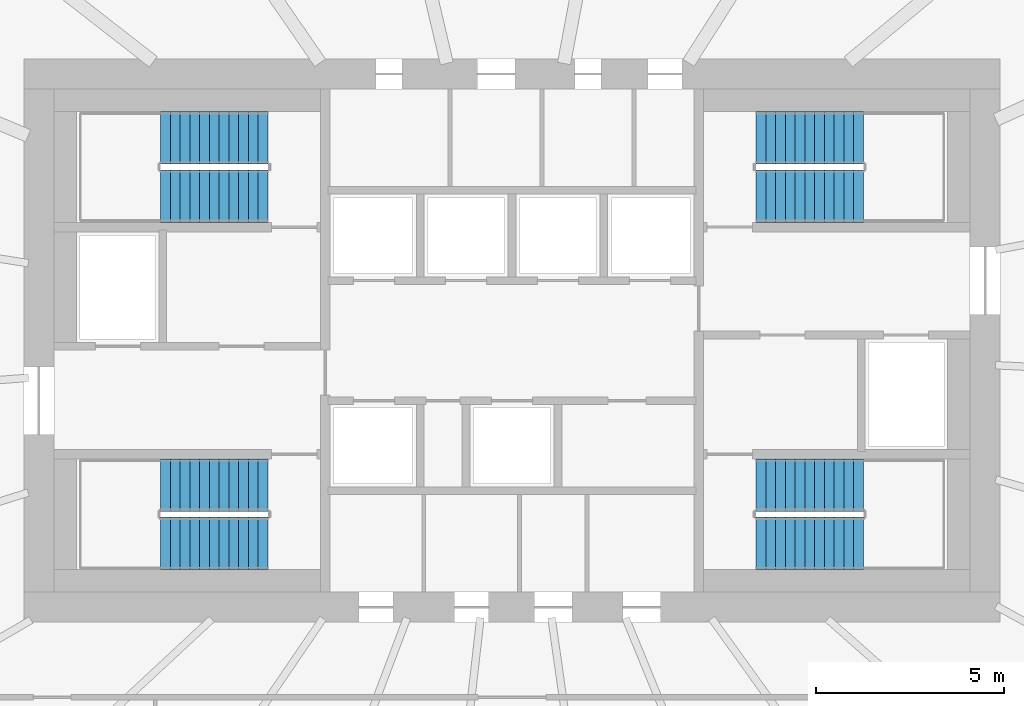
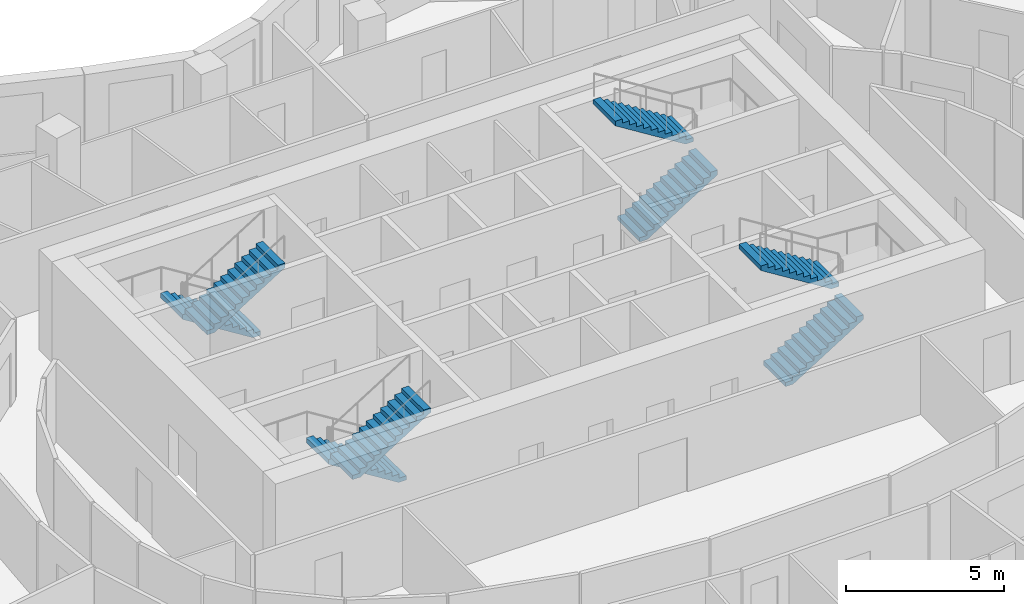
# One storey, part 10 of 11: 8 stair flights, 4 elements without a shape of their own.
"""IFC4 building model written with IfcOpenShell, lengths in metres."""

from ifc_helpers import new_model, si_unit, direction, frame, origin, place, context, subcontext, project, spatial, polyline, outline, extrude, material, type_object, element, aggregate, save


model = new_model("IFC4")

# Units and contexts
model_context = context("Model", 3, precision=1e-05, world=origin(), true_north=direction((0.0, 1.0)))
body_context = subcontext(model_context, "Body", "Model", "MODEL_VIEW")
ifc_project = project(units=[si_unit("LENGTHUNIT", "METRE"), si_unit("AREAUNIT", "SQUARE_METRE"), si_unit("VOLUMEUNIT", "CUBIC_METRE"), si_unit("PLANEANGLEUNIT", "RADIAN"), si_unit("MASSUNIT", "GRAM", prefix="KILO")], contexts=[model_context])

# Site, building, storey
site_placement = place(None, origin())
site = spatial("IfcSite", under=ifc_project, at=site_placement, CompositionType="ELEMENT")
building_placement = place(site_placement, origin())
building = spatial("IfcBuilding", under=site, at=building_placement, Name="Rubra Terraces Tower", CompositionType="ELEMENT")
storey_placement = place(building_placement, frame((0.0, 0.0, 174.0)))
storey = spatial("IfcBuildingStorey", under=building, at=storey_placement, Name="L42", CompositionType="ELEMENT", Elevation=174.0)

# Stair, stair flights
ifc_material = material(Name="Concrete C40", Category="concrete")
stair_type = type_object("IfcStairType", Name="Core stair 1400", PredefinedType="HALF_TURN_STAIR", material=ifc_material)
stair_1_placement = place(storey_placement, origin())
stair_1 = element("IfcStair", 1, at=stair_1_placement, inside=storey, type_object=stair_type, Name="L42 Exit stair S1", PredefinedType="HALF_TURN_STAIR")
stair_flight_type = type_object("IfcStairFlightType", Name="Core stair flight 1400", PredefinedType="STRAIGHT", material=ifc_material)
stair_flight_1_placement = place(storey_placement, frame((-6.5, 0.64990234375, 0.0), z_axis=(0.0, 0.0, 1.0), x_axis=(-1.0, 0.0, 0.0)))
stair_flight_1 = element("IfcStairFlight", 2, at=stair_flight_1_placement, type_object=stair_flight_type, Name="S1 flight 1", NumberOfRisers=12, NumberOfTreads=11, PredefinedType="STRAIGHT", RiserHeight=0.1625, TreadLength=0.26, context=body_context, shape_type="SweptSolid", body=[
    extrude(outline(polyline([(0.0, 0.0), (0.0, 0.16259765625), (0.260009765625, 0.16259765625), (0.260009765625, 0.324951171875), (0.52001953125, 0.324951171875), (0.52001953125, 0.487548828125), (0.780029296875, 0.487548828125), (0.780029296875, 0.64990234375), (1.0400390625, 0.64990234375), (1.0400390625, 0.8125), (1.300048828125, 0.8125), (1.300048828125, 0.97509765625), (1.56005859375, 0.97509765625), (1.56005859375, 1.137451171875), (1.820068359375, 1.137451171875), (1.820068359375, 1.300048828125), (2.080078125, 1.300048828125), (2.080078125, 1.46240234375), (2.340087890625, 1.46240234375), (2.340087890625, 1.625), (2.60009765625, 1.625), (2.60009765625, 1.78759765625), (2.860107421875, 1.78759765625), (2.860107421875, 1.949951171875), (2.860107421875, 1.61083984375), (0.28271484375, 0.0), (0.0, 0.0)])), frame((0.0, 0.699951171875, 0.0), z_axis=(0.0, -1.0, 0.0), x_axis=(1.0, 0.0, 0.0)), (0.0, 0.0, 1.0), 1.39990234375),
])
stair_flight_2_placement = place(storey_placement, frame((-9.360107421875, -0.89990234375, 1.949951171875), z_axis=(0.0, 0.0, 1.0), x_axis=(1.0, 0.0, 0.0)))
stair_flight_2 = element("IfcStairFlight", 3, at=stair_flight_2_placement, type_object=stair_flight_type, Name="S1 flight 2", NumberOfRisers=12, NumberOfTreads=11, PredefinedType="STRAIGHT", RiserHeight=0.1625, TreadLength=0.26, context=body_context, shape_type="SweptSolid", body=[
    extrude(outline(polyline([(0.0, 0.0), (0.0, 0.16259765625), (0.260009765625, 0.16259765625), (0.260009765625, 0.324951171875), (0.52001953125, 0.324951171875), (0.52001953125, 0.487548828125), (0.780029296875, 0.487548828125), (0.780029296875, 0.64990234375), (1.0400390625, 0.64990234375), (1.0400390625, 0.8125), (1.300048828125, 0.8125), (1.300048828125, 0.97509765625), (1.56005859375, 0.97509765625), (1.56005859375, 1.137451171875), (1.820068359375, 1.137451171875), (1.820068359375, 1.300048828125), (2.080078125, 1.300048828125), (2.080078125, 1.46240234375), (2.340087890625, 1.46240234375), (2.340087890625, 1.625), (2.60009765625, 1.625), (2.60009765625, 1.78759765625), (2.860107421875, 1.78759765625), (2.860107421875, 1.949951171875), (2.860107421875, 1.61083984375), (0.28271484375, 0.0), (0.0, 0.0)])), frame((0.0, 0.699951171875, 0.0), z_axis=(0.0, -1.0, 0.0), x_axis=(1.0, 0.0, 0.0)), (0.0, 0.0, 1.0), 1.39990234375),
])
aggregate(stair_1, [stair_flight_1, stair_flight_2])

stair_2_placement = place(storey_placement, origin())
stair_2 = element("IfcStair", 4, at=stair_2_placement, inside=storey, type_object=stair_type, Name="L42 Exit stair S2", PredefinedType="HALF_TURN_STAIR")
stair_flight_3_placement = place(storey_placement, frame((-6.5, 9.89990234375, 0.0), z_axis=(0.0, 0.0, 1.0), x_axis=(-1.0, 0.0, 0.0)))
stair_flight_3 = element("IfcStairFlight", 5, at=stair_flight_3_placement, type_object=stair_flight_type, Name="S2 flight 1", NumberOfRisers=12, NumberOfTreads=11, PredefinedType="STRAIGHT", RiserHeight=0.1625, TreadLength=0.26, context=body_context, shape_type="SweptSolid", body=[
    extrude(outline(polyline([(0.0, 0.0), (0.0, 0.16259765625), (0.260009765625, 0.16259765625), (0.260009765625, 0.324951171875), (0.52001953125, 0.324951171875), (0.52001953125, 0.487548828125), (0.780029296875, 0.487548828125), (0.780029296875, 0.64990234375), (1.0400390625, 0.64990234375), (1.0400390625, 0.8125), (1.300048828125, 0.8125), (1.300048828125, 0.97509765625), (1.56005859375, 0.97509765625), (1.56005859375, 1.137451171875), (1.820068359375, 1.137451171875), (1.820068359375, 1.300048828125), (2.080078125, 1.300048828125), (2.080078125, 1.46240234375), (2.340087890625, 1.46240234375), (2.340087890625, 1.625), (2.60009765625, 1.625), (2.60009765625, 1.78759765625), (2.860107421875, 1.78759765625), (2.860107421875, 1.949951171875), (2.860107421875, 1.61083984375), (0.28271484375, 0.0), (0.0, 0.0)])), frame((0.0, 0.699951171875, 0.0), z_axis=(0.0, -1.0, 0.0), x_axis=(1.0, 0.0, 0.0)), (0.0, 0.0, 1.0), 1.39990234375),
])
stair_flight_4_placement = place(storey_placement, frame((-9.360107421875, 8.35009765625, 1.949951171875), z_axis=(0.0, 0.0, 1.0), x_axis=(1.0, 0.0, 0.0)))
stair_flight_4 = element("IfcStairFlight", 6, at=stair_flight_4_placement, type_object=stair_flight_type, Name="S2 flight 2", NumberOfRisers=12, NumberOfTreads=11, PredefinedType="STRAIGHT", RiserHeight=0.1625, TreadLength=0.26, context=body_context, shape_type="SweptSolid", body=[
    extrude(outline(polyline([(0.0, 0.0), (0.0, 0.16259765625), (0.260009765625, 0.16259765625), (0.260009765625, 0.324951171875), (0.52001953125, 0.324951171875), (0.52001953125, 0.487548828125), (0.780029296875, 0.487548828125), (0.780029296875, 0.64990234375), (1.0400390625, 0.64990234375), (1.0400390625, 0.8125), (1.300048828125, 0.8125), (1.300048828125, 0.97509765625), (1.56005859375, 0.97509765625), (1.56005859375, 1.137451171875), (1.820068359375, 1.137451171875), (1.820068359375, 1.300048828125), (2.080078125, 1.300048828125), (2.080078125, 1.46240234375), (2.340087890625, 1.46240234375), (2.340087890625, 1.625), (2.60009765625, 1.625), (2.60009765625, 1.78759765625), (2.860107421875, 1.78759765625), (2.860107421875, 1.949951171875), (2.860107421875, 1.61083984375), (0.28271484375, 0.0), (0.0, 0.0)])), frame((0.0, 0.699951171875, 0.0), z_axis=(0.0, -1.0, 0.0), x_axis=(1.0, 0.0, 0.0)), (0.0, 0.0, 1.0), 1.39990234375),
])
aggregate(stair_2, [stair_flight_3, stair_flight_4])

stair_3_placement = place(storey_placement, origin())
stair_3 = element("IfcStair", 7, at=stair_3_placement, inside=storey, type_object=stair_type, Name="L42 Exit stair S3", PredefinedType="HALF_TURN_STAIR")
stair_flight_5_placement = place(storey_placement, frame((6.5, 8.35009765625, 0.0), z_axis=(0.0, 0.0, 1.0), x_axis=(1.0, 0.0, 0.0)))
stair_flight_5 = element("IfcStairFlight", 8, at=stair_flight_5_placement, type_object=stair_flight_type, Name="S3 flight 1", NumberOfRisers=12, NumberOfTreads=11, PredefinedType="STRAIGHT", RiserHeight=0.1625, TreadLength=0.26, context=body_context, shape_type="SweptSolid", body=[
    extrude(outline(polyline([(0.0, 0.0), (0.0, 0.16259765625), (0.260009765625, 0.16259765625), (0.260009765625, 0.324951171875), (0.52001953125, 0.324951171875), (0.52001953125, 0.487548828125), (0.780029296875, 0.487548828125), (0.780029296875, 0.64990234375), (1.0400390625, 0.64990234375), (1.0400390625, 0.8125), (1.300048828125, 0.8125), (1.300048828125, 0.97509765625), (1.56005859375, 0.97509765625), (1.56005859375, 1.137451171875), (1.820068359375, 1.137451171875), (1.820068359375, 1.300048828125), (2.080078125, 1.300048828125), (2.080078125, 1.46240234375), (2.340087890625, 1.46240234375), (2.340087890625, 1.625), (2.60009765625, 1.625), (2.60009765625, 1.78759765625), (2.860107421875, 1.78759765625), (2.860107421875, 1.949951171875), (2.860107421875, 1.61083984375), (0.28271484375, 0.0), (0.0, 0.0)])), frame((0.0, 0.699951171875, 0.0), z_axis=(0.0, -1.0, 0.0), x_axis=(1.0, 0.0, 0.0)), (0.0, 0.0, 1.0), 1.39990234375),
])
stair_flight_6_placement = place(storey_placement, frame((9.360107421875, 9.89990234375, 1.949951171875), z_axis=(0.0, 0.0, 1.0), x_axis=(-1.0, 0.0, 0.0)))
stair_flight_6 = element("IfcStairFlight", 9, at=stair_flight_6_placement, type_object=stair_flight_type, Name="S3 flight 2", NumberOfRisers=12, NumberOfTreads=11, PredefinedType="STRAIGHT", RiserHeight=0.1625, TreadLength=0.26, context=body_context, shape_type="SweptSolid", body=[
    extrude(outline(polyline([(0.0, 0.0), (0.0, 0.16259765625), (0.260009765625, 0.16259765625), (0.260009765625, 0.324951171875), (0.52001953125, 0.324951171875), (0.52001953125, 0.487548828125), (0.780029296875, 0.487548828125), (0.780029296875, 0.64990234375), (1.0400390625, 0.64990234375), (1.0400390625, 0.8125), (1.300048828125, 0.8125), (1.300048828125, 0.97509765625), (1.56005859375, 0.97509765625), (1.56005859375, 1.137451171875), (1.820068359375, 1.137451171875), (1.820068359375, 1.300048828125), (2.080078125, 1.300048828125), (2.080078125, 1.46240234375), (2.340087890625, 1.46240234375), (2.340087890625, 1.625), (2.60009765625, 1.625), (2.60009765625, 1.78759765625), (2.860107421875, 1.78759765625), (2.860107421875, 1.949951171875), (2.860107421875, 1.61083984375), (0.28271484375, 0.0), (0.0, 0.0)])), frame((0.0, 0.699951171875, 0.0), z_axis=(0.0, -1.0, 0.0), x_axis=(1.0, 0.0, 0.0)), (0.0, 0.0, 1.0), 1.39990234375),
])
aggregate(stair_3, [stair_flight_5, stair_flight_6])

stair_4_placement = place(storey_placement, origin())
stair_4 = element("IfcStair", 10, at=stair_4_placement, inside=storey, type_object=stair_type, Name="L42 Exit stair S4", PredefinedType="HALF_TURN_STAIR")
stair_flight_7_placement = place(storey_placement, frame((6.5, -0.89990234375, 0.0), z_axis=(0.0, 0.0, 1.0), x_axis=(1.0, 0.0, 0.0)))
stair_flight_7 = element("IfcStairFlight", 11, at=stair_flight_7_placement, type_object=stair_flight_type, Name="S4 flight 1", NumberOfRisers=12, NumberOfTreads=11, PredefinedType="STRAIGHT", RiserHeight=0.1625, TreadLength=0.26, context=body_context, shape_type="SweptSolid", body=[
    extrude(outline(polyline([(0.0, 0.0), (0.0, 0.16259765625), (0.260009765625, 0.16259765625), (0.260009765625, 0.324951171875), (0.52001953125, 0.324951171875), (0.52001953125, 0.487548828125), (0.780029296875, 0.487548828125), (0.780029296875, 0.64990234375), (1.0400390625, 0.64990234375), (1.0400390625, 0.8125), (1.300048828125, 0.8125), (1.300048828125, 0.97509765625), (1.56005859375, 0.97509765625), (1.56005859375, 1.137451171875), (1.820068359375, 1.137451171875), (1.820068359375, 1.300048828125), (2.080078125, 1.300048828125), (2.080078125, 1.46240234375), (2.340087890625, 1.46240234375), (2.340087890625, 1.625), (2.60009765625, 1.625), (2.60009765625, 1.78759765625), (2.860107421875, 1.78759765625), (2.860107421875, 1.949951171875), (2.860107421875, 1.61083984375), (0.28271484375, 0.0), (0.0, 0.0)])), frame((0.0, 0.699951171875, 0.0), z_axis=(0.0, -1.0, 0.0), x_axis=(1.0, 0.0, 0.0)), (0.0, 0.0, 1.0), 1.39990234375),
])
stair_flight_8_placement = place(storey_placement, frame((9.360107421875, 0.64990234375, 1.949951171875), z_axis=(0.0, 0.0, 1.0), x_axis=(-1.0, 0.0, 0.0)))
stair_flight_8 = element("IfcStairFlight", 12, at=stair_flight_8_placement, type_object=stair_flight_type, Name="S4 flight 2", NumberOfRisers=12, NumberOfTreads=11, PredefinedType="STRAIGHT", RiserHeight=0.1625, TreadLength=0.26, context=body_context, shape_type="SweptSolid", body=[
    extrude(outline(polyline([(0.0, 0.0), (0.0, 0.16259765625), (0.260009765625, 0.16259765625), (0.260009765625, 0.324951171875), (0.52001953125, 0.324951171875), (0.52001953125, 0.487548828125), (0.780029296875, 0.487548828125), (0.780029296875, 0.64990234375), (1.0400390625, 0.64990234375), (1.0400390625, 0.8125), (1.300048828125, 0.8125), (1.300048828125, 0.97509765625), (1.56005859375, 0.97509765625), (1.56005859375, 1.137451171875), (1.820068359375, 1.137451171875), (1.820068359375, 1.300048828125), (2.080078125, 1.300048828125), (2.080078125, 1.46240234375), (2.340087890625, 1.46240234375), (2.340087890625, 1.625), (2.60009765625, 1.625), (2.60009765625, 1.78759765625), (2.860107421875, 1.78759765625), (2.860107421875, 1.949951171875), (2.860107421875, 1.61083984375), (0.28271484375, 0.0), (0.0, 0.0)])), frame((0.0, 0.699951171875, 0.0), z_axis=(0.0, -1.0, 0.0), x_axis=(1.0, 0.0, 0.0)), (0.0, 0.0, 1.0), 1.39990234375),
])
aggregate(stair_4, [stair_flight_7, stair_flight_8])

save(model, "model.ifc")
